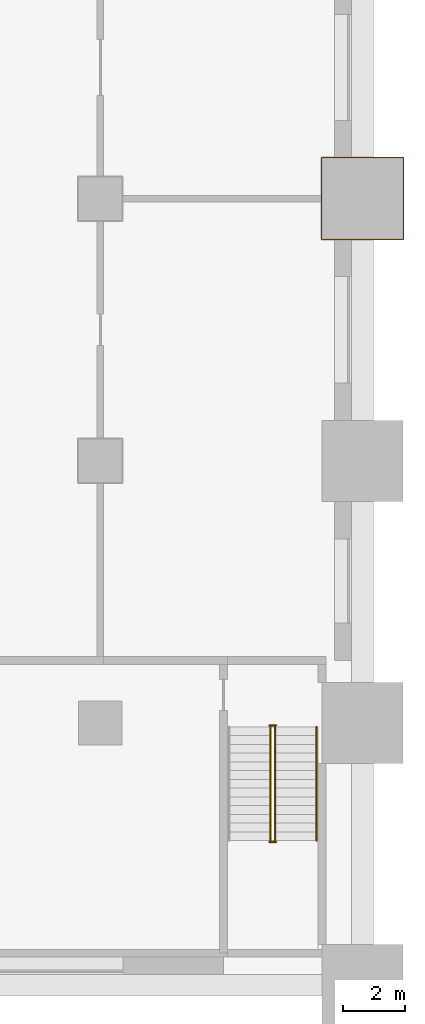
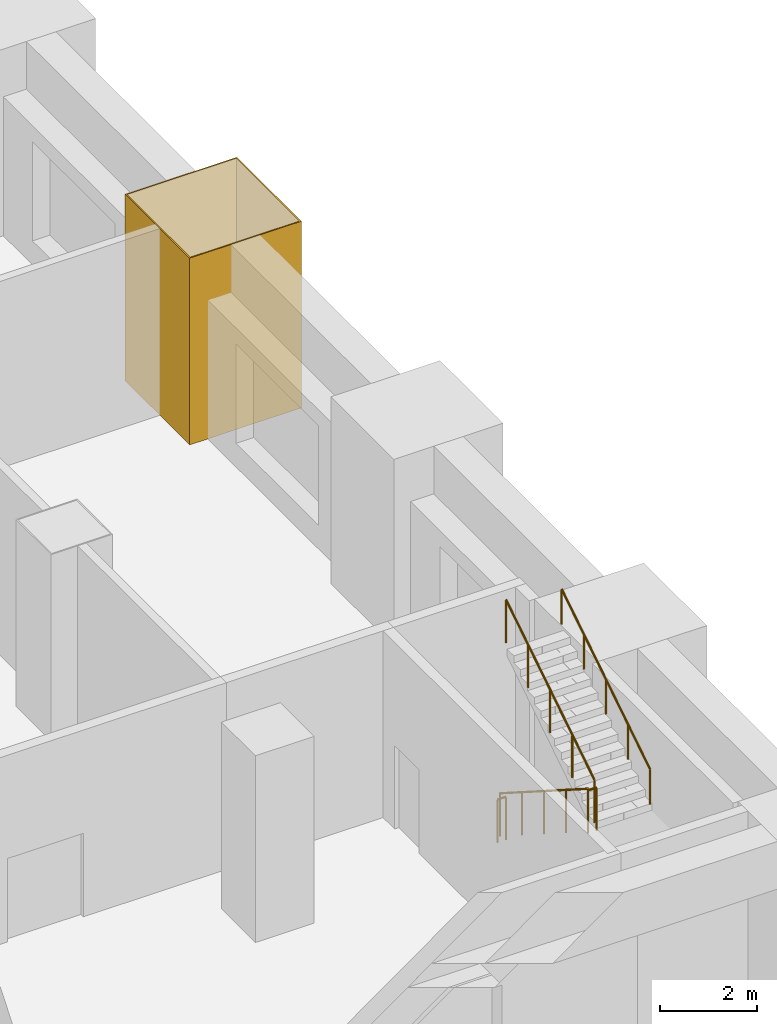
# One storey, part 17 of 19: 5 railings, 1 covering.
"""IFC4 building model written with IfcOpenShell, lengths in metres."""

from ifc_helpers import new_model, si_unit, direction, frame, origin, origin_2d, place, context, subcontext, project, spatial, polyline, circle, outline, extrude, material, layer, layer_set, type_object, element, save


model = new_model("IFC4")

# Units and contexts
model_context = context("Model", 3, precision=1e-05, world=origin(), true_north=direction((0.0, 1.0)))
body_context = subcontext(model_context, "Body", "Model", "MODEL_VIEW")
ifc_project = project(units=[si_unit("LENGTHUNIT", "METRE"), si_unit("AREAUNIT", "SQUARE_METRE"), si_unit("VOLUMEUNIT", "CUBIC_METRE"), si_unit("PLANEANGLEUNIT", "RADIAN"), si_unit("MASSUNIT", "GRAM", prefix="KILO")], contexts=[model_context])

# Site, building, storey
site_placement = place(None, origin())
site = spatial("IfcSite", under=ifc_project, at=site_placement, CompositionType="ELEMENT")
building_placement = place(site_placement, origin())
building = spatial("IfcBuilding", under=site, at=building_placement, Name="Cantera Rosa Tower", CompositionType="ELEMENT")
storey_placement = place(building_placement, frame((0.0, 0.0, 12.0)))
storey = spatial("IfcBuildingStorey", under=building, at=storey_placement, Name="L01", CompositionType="ELEMENT", Elevation=12.0)

# Covering
ifc_material_1 = material(Name="Plaster")
ifc_layer = layer(ifc_material_1, 0.030029296875)
ifc_layer_set = layer_set([ifc_layer], Name="Column casing 30")
covering_type = type_object("IfcCoveringType", Name="Column casing 30", PredefinedType="CLADDING", material=ifc_layer_set)
covering_placement = place(storey_placement, origin())
element("IfcCovering", 1, at=covering_placement, inside=storey, type_object=covering_type, Name="Column casing L01-036", PredefinedType="CLADDING", context=body_context, shape_type="SweptSolid", body=[
    extrude(outline(polyline([(32.27001953125, -5.530029296875), (34.929931640625, -5.530029296875), (34.929931640625, -2.8701171875), (32.27001953125, -2.8701171875), (32.27001953125, -5.530029296875)]), holes=[polyline([(34.89990234375, -2.89990234375), (32.300048828125, -2.89990234375), (32.300048828125, -5.5), (34.89990234375, -5.5), (34.89990234375, -2.89990234375)])]), origin(), (0.0, 0.0, 1.0), 4.699951171875),
])

# Railings
ifc_material_2 = material(Name="Steel S355J2 (EN 10025-2)", Category="steel")
railing_type_1 = type_object("IfcRailingType", Name="STAIR GUARD 1100", PredefinedType="GUARDRAIL", material=ifc_material_2)
railing_1_placement = place(storey_placement, frame((30.65087890625, -21.125, 0.178466796875)))
element("IfcRailing", 2, at=railing_1_placement, inside=storey, type_object=railing_type_1, Name="L01 ST-SE stair guard 1", PredefinedType="GUARDRAIL", context=body_context, shape_type="SweptSolid", body=[
    extrude(circle(Radius=0.02392578125, at=origin_2d()), frame((0.0, 0.0, 1.076171875), z_axis=(0.0, -0.843111507901, 0.53773877045), x_axis=(1.0, 0.0, 0.0)), (0.0, 0.0, 1.0), 4.317138671875),
    extrude(circle(Radius=0.02099609375, at=origin_2d()), origin(), (0.0, 0.0, 1.0), 1.052001953125),
    extrude(circle(Radius=0.02099609375, at=origin_2d()), frame((0.0, -0.909912109375, 0.580322265625)), (0.0, 0.0, 1.0), 1.052001953125),
    extrude(circle(Radius=0.02099609375, at=origin_2d()), frame((0.0, -1.81982421875, 1.16064453125)), (0.0, 0.0, 1.0), 1.052001953125),
    extrude(circle(Radius=0.02099609375, at=origin_2d()), frame((0.0, -2.72998046875, 1.7412109375)), (0.0, 0.0, 1.0), 1.052001953125),
    extrude(circle(Radius=0.02099609375, at=origin_2d()), frame((0.0, -3.639892578125, 2.321533203125)), (0.0, 0.0, 1.0), 1.052001953125),
])
railing_2_placement = place(storey_placement, frame((30.625, -24.81494140625, 2.5)))
element("IfcRailing", 3, at=railing_2_placement, inside=storey, type_object=railing_type_1, Name="L01 ST-SE stair guard 2", PredefinedType="GUARDRAIL", context=body_context, shape_type="SweptSolid", body=[
    extrude(circle(Radius=0.02392578125, at=origin_2d()), frame((0.0, 0.0, 1.076171875), z_axis=(1.0, 0.0, 0.0), x_axis=(0.0, 1.0, 0.0)), (0.0, 0.0, 1.0), 0.199951171875),
    extrude(circle(Radius=0.02099609375, at=origin_2d()), origin(), (0.0, 0.0, 1.0), 1.052001953125),
    extrude(circle(Radius=0.02099609375, at=origin_2d()), frame((0.199951171875, 0.0, 0.0)), (0.0, 0.0, 1.0), 1.052001953125),
])
railing_3_placement = place(storey_placement, frame((30.799072265625, -24.764892578125, 2.678466796875)))
element("IfcRailing", 4, at=railing_3_placement, inside=storey, type_object=railing_type_1, Name="L01 ST-SE stair guard 3", PredefinedType="GUARDRAIL", context=body_context, shape_type="SweptSolid", body=[
    extrude(circle(Radius=0.02392578125, at=origin_2d()), frame((0.0, 0.0, 1.076171875), z_axis=(0.0, 0.843111507901, 0.53773877045), x_axis=(-1.0, 0.0, 0.0)), (0.0, 0.0, 1.0), 4.317138671875),
    extrude(circle(Radius=0.02099609375, at=origin_2d()), origin(), (0.0, 0.0, 1.0), 1.052001953125),
    extrude(circle(Radius=0.02099609375, at=origin_2d()), frame((0.0, 0.909912109375, 0.580322265625)), (0.0, 0.0, 1.0), 1.052001953125),
    extrude(circle(Radius=0.02099609375, at=origin_2d()), frame((0.0, 1.81982421875, 1.16064453125)), (0.0, 0.0, 1.0), 1.052001953125),
    extrude(circle(Radius=0.02099609375, at=origin_2d()), frame((0.0, 2.72998046875, 1.7412109375)), (0.0, 0.0, 1.0), 1.052001953125),
    extrude(circle(Radius=0.02099609375, at=origin_2d()), frame((0.0, 3.639892578125, 2.321533203125)), (0.0, 0.0, 1.0), 1.052001953125),
])
railing_4_placement = place(storey_placement, frame((30.625, -21.074951171875, 0.0)))
element("IfcRailing", 5, at=railing_4_placement, inside=storey, type_object=railing_type_1, Name="L01 ST-SE stair guard 4", PredefinedType="GUARDRAIL", context=body_context, shape_type="SweptSolid", body=[
    extrude(circle(Radius=0.02392578125, at=origin_2d()), frame((0.0, 0.0, 1.076171875), z_axis=(1.0, 0.0, 0.0), x_axis=(0.0, 1.0, 0.0)), (0.0, 0.0, 1.0), 0.199951171875),
    extrude(circle(Radius=0.02099609375, at=origin_2d()), origin(), (0.0, 0.0, 1.0), 1.052001953125),
    extrude(circle(Radius=0.02099609375, at=origin_2d()), frame((0.199951171875, 0.0, 0.0)), (0.0, 0.0, 1.0), 1.052001953125),
])
ifc_material_3 = material(Name="Steel S355J2 (EN 10025-2)", Category="steel")
railing_type_2 = type_object("IfcRailingType", Name="STAIR HANDRAIL 900", PredefinedType="HANDRAIL", material=ifc_material_3)
railing_5_placement = place(storey_placement, frame((32.125, -24.764892578125, 2.678466796875)))
element("IfcRailing", 6, at=railing_5_placement, inside=storey, type_object=railing_type_2, Name="L01 ST-SE stair handrail 2", PredefinedType="HANDRAIL", context=body_context, shape_type="SweptSolid", body=[
    extrude(circle(Radius=0.02392578125, at=origin_2d()), frame((0.0, 0.0, 0.8759765625), z_axis=(0.0, 0.843111507901, 0.53773877045), x_axis=(-1.0, 0.0, 0.0)), (0.0, 0.0, 1.0), 4.317138671875),
    extrude(circle(Radius=0.02099609375, at=origin_2d()), origin(), (0.0, 0.0, 1.0), 0.851806640625),
    extrude(circle(Radius=0.02099609375, at=origin_2d()), frame((0.0, 0.909912109375, 0.580322265625)), (0.0, 0.0, 1.0), 0.851806640625),
    extrude(circle(Radius=0.02099609375, at=origin_2d()), frame((0.0, 1.81982421875, 1.16064453125)), (0.0, 0.0, 1.0), 0.851806640625),
    extrude(circle(Radius=0.02099609375, at=origin_2d()), frame((0.0, 2.72998046875, 1.7412109375)), (0.0, 0.0, 1.0), 0.851806640625),
    extrude(circle(Radius=0.02099609375, at=origin_2d()), frame((0.0, 3.639892578125, 2.321533203125)), (0.0, 0.0, 1.0), 0.851806640625),
])

save(model, "model.ifc")
